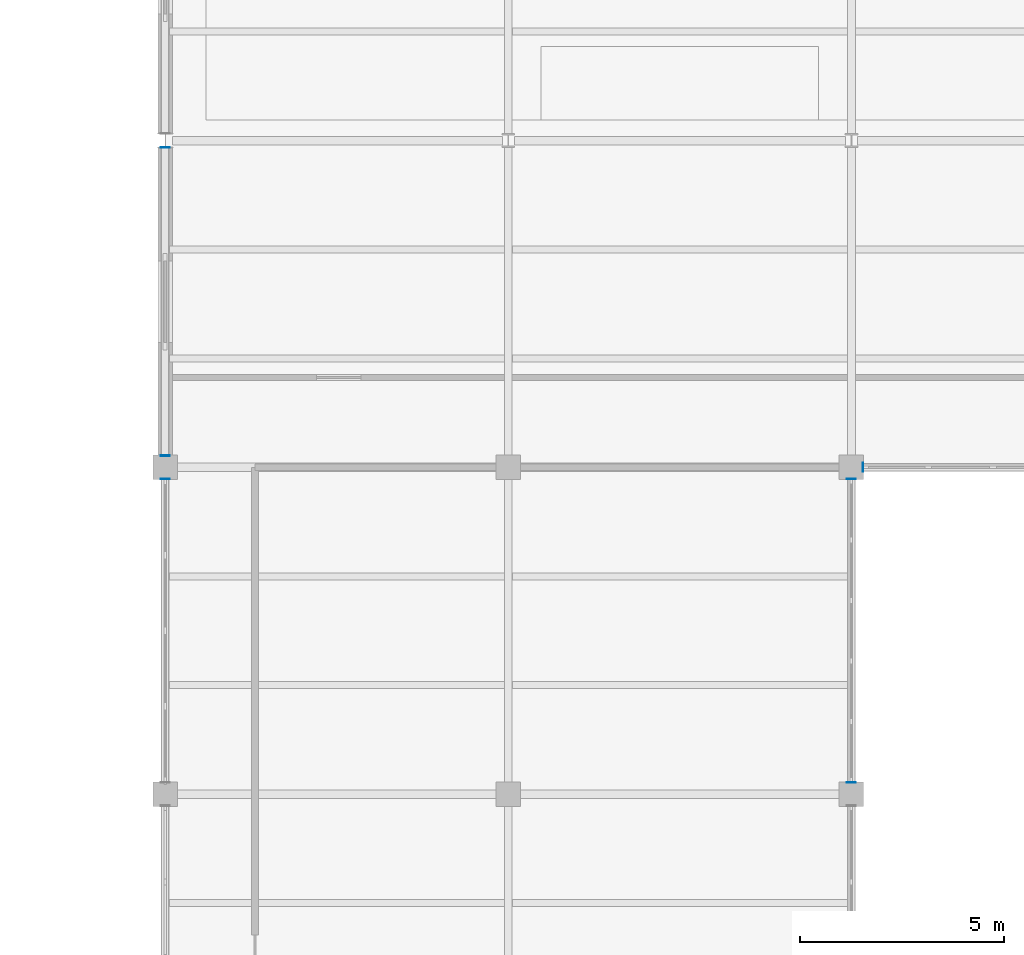
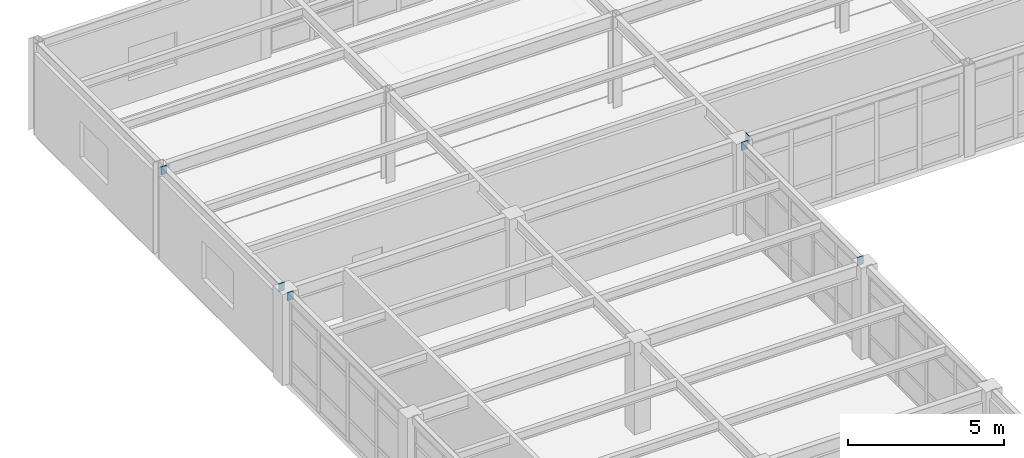
# One storey, part 79 of 96: 6 discrete accessories.
"""IFC4 building model written with IfcOpenShell, lengths in metres."""

import ifcopenshell
import ifcopenshell.guid

model = None  # the IFC model being written
_history = None  # IfcOwnerHistory: only IFC2X3 demands one
_inside = {}  # id of a spatial element -> (the spatial element, [elements in it])
_under = {}  # id of a project, library or spatial element -> (it, [spatial elements below it])
_declared = {}  # id of a project -> (the project, [libraries it declares])
_typed = {}  # id of a type object -> (the type object, [elements of that type])
_made_of = {}  # id of a material, layer set ... -> (it, [elements and type objects made of it])


def new_model(schema):
    """Start an empty IFC model of exactly this schema.

    Asked for "IFC4X3", IfcOpenShell would pick the latest addendum, in which some entities
    have other attributes; the version numbers below select the first issue.
    IFC2X3 requires an IfcOwnerHistory on every rooted entity: one is made here for all.
    """
    global model, _history
    if schema == "IFC4X3":
        model = ifcopenshell.file(schema_version=(4, 3, 0, 0))
    else:
        model = ifcopenshell.file(schema=schema)
    _inside.clear()
    _under.clear()
    _declared.clear()
    _typed.clear()
    _made_of.clear()
    _history = None
    if model.schema == "IFC2X3":
        org = make("IfcOrganization", Name="unknown")
        user = make(
            "IfcPersonAndOrganization",
            ThePerson=make("IfcPerson", FamilyName="unknown"),
            TheOrganization=org,
        )
        app = make(
            "IfcApplication",
            ApplicationDeveloper=org,
            Version="unknown",
            ApplicationFullName="unknown",
            ApplicationIdentifier="unknown",
        )
        _history = make(
            "IfcOwnerHistory",
            OwningUser=user,
            OwningApplication=app,
            ChangeAction="ADDED",
            CreationDate=0,
        )
    return model


def make(cls, **values):
    """One entity of the class cls with the attributes given. An attribute that is None is left unset."""
    return model.create_entity(
        cls, **{name: value for name, value in values.items() if value is not None}
    )


def rooted(cls, **values):
    """An entity with a GlobalId (a new one), such as an element, a storey or a relation."""
    return make(cls, GlobalId=ifcopenshell.guid.new(), OwnerHistory=_history, **values)


def si_unit(unit_type, name, prefix=None):
    """IfcSIUnit, for example si_unit("LENGTHUNIT", "METRE", prefix="MILLI")."""
    return make("IfcSIUnit", UnitType=unit_type, Prefix=prefix, Name=name)


def assignment(units):
    """IfcUnitAssignment: the units of a project."""
    return None if units is None else make("IfcUnitAssignment", Units=units)


def point(xyz):
    """IfcCartesianPoint."""
    return None if xyz is None else make("IfcCartesianPoint", Coordinates=xyz)


def direction(xyz):
    """IfcDirection."""
    return None if xyz is None else make("IfcDirection", DirectionRatios=xyz)


def frame(location, z_axis=None, x_axis=None):
    """IfcAxis2Placement3D, a coordinate frame: its origin and axes. An axis left out is left unset."""
    return make(
        "IfcAxis2Placement3D",
        Location=point(location),
        Axis=direction(z_axis),
        RefDirection=direction(x_axis),
    )


def frame_2d(location, x_axis=None):
    """IfcAxis2Placement2D, a coordinate frame in the plane: its origin and x axis."""
    return make(
        "IfcAxis2Placement2D", Location=point(location), RefDirection=direction(x_axis)
    )


def origin():
    """The frame at (0, 0, 0) with its axes left unset."""
    return frame((0.0, 0.0, 0.0))


def origin_2d():
    """The frame at (0, 0) in the plane with its x axis left unset."""
    return frame_2d((0.0, 0.0))


def place(relative_to, where):
    """IfcLocalPlacement: puts the frame where relative to a parent placement (None: the world)."""
    return make(
        "IfcLocalPlacement", PlacementRelTo=relative_to, RelativePlacement=where
    )


def context(
    kind, dimensions, precision=None, world=None, true_north=None, identifier=None
):
    """IfcGeometricRepresentationContext, for example the 3D "Model" context."""
    return make(
        "IfcGeometricRepresentationContext",
        ContextIdentifier=identifier,
        ContextType=kind,
        CoordinateSpaceDimension=dimensions,
        Precision=precision,
        WorldCoordinateSystem=world,
        TrueNorth=true_north,
    )


def subcontext(parent, identifier, kind, view, scale=None):
    """IfcGeometricRepresentationSubContext, for example "Body" below "Model"."""
    return make(
        "IfcGeometricRepresentationSubContext",
        ContextIdentifier=identifier,
        ContextType=kind,
        ParentContext=parent,
        TargetScale=scale,
        TargetView=view,
    )


def project(units=None, contexts=None):
    """IfcProject with its units and contexts."""
    return rooted(
        "IfcProject",
        Name="project",
        RepresentationContexts=contexts,
        UnitsInContext=assignment(units),
    )


def spatial(cls, under=None, at=None, **own):
    """A site, building, storey or space (cls), placed at a placement, below another one or the project."""
    s = rooted(cls, ObjectPlacement=at, **own)
    if under is not None:
        _under.setdefault(under.id(), (under, []))[1].append(s)
    return s


def profile(cls, at=None, kind="AREA", **sizes):
    """A parametric profile (cls). Its sizes go by their IFC names, for example OverallWidth=200.0."""
    return make(cls, ProfileType=kind, Position=at, **sizes)


def rectangle(**sizes):
    """IfcRectangleProfileDef."""
    return profile("IfcRectangleProfileDef", **sizes)


def extrude(swept, where, along, depth):
    """IfcExtrudedAreaSolid: the profile swept, set in the frame where, extruded along a direction by depth."""
    return make(
        "IfcExtrudedAreaSolid",
        SweptArea=swept,
        Position=where,
        ExtrudedDirection=direction(along),
        Depth=depth,
    )


def shape(context_of_items, identifier, shape_type, items):
    """IfcShapeRepresentation: the items that make up one representation, for example the "Body"."""
    return make(
        "IfcShapeRepresentation",
        ContextOfItems=context_of_items,
        RepresentationIdentifier=identifier,
        RepresentationType=shape_type,
        Items=items,
    )


def material(Name=None, Category=None):
    """IfcMaterial."""
    return make("IfcMaterial", Name=Name, Category=Category)


def layer(
    of_material, thickness, ventilated=None, Name=None, Category=None, Priority=None
):
    """IfcMaterialLayer: one layer of a wall or slab, of a material (None: an air gap)."""
    return make(
        "IfcMaterialLayer",
        Material=of_material,
        LayerThickness=thickness,
        IsVentilated=ventilated,
        Name=Name,
        Category=Category,
        Priority=Priority,
    )


def layer_set(layers, Name=None):
    """IfcMaterialLayerSet."""
    return make("IfcMaterialLayerSet", MaterialLayers=layers, LayerSetName=Name)


def made_of(thing, what):
    """Note that an element or type object is made of a material, layer set ...; save() writes the relation."""
    if what is not None:
        _made_of.setdefault(what.id(), (what, []))[1].append(thing)
    return thing


def type_object(cls, material=None, **own):
    """A type object (cls), such as IfcWallType, which elements share."""
    return made_of(rooted(cls, **own), material)


def element(
    cls,
    number,
    at=None,
    inside=None,
    cuts=None,
    type_object=None,
    material=None,
    context=None,
    identifier="Body",
    shape_type=None,
    held_by="IfcProductDefinitionShape",
    body=None,
    shapes=None,
    **own,
):
    """One element of the class cls, such as IfcWall. Its Tag is "e" and its number.

    at: its placement. inside: the storey or other place that contains it. cuts: it is an
    opening in that element (IfcRelVoidsElement). A single representation is given by context,
    identifier, shape_type and body (its items); several are given by shapes. held_by: the class
    of the entity that holds the representations. save() writes the other relations.
    """
    e = rooted(cls, Tag="e%d" % number, ObjectPlacement=at, **own)
    if body is not None:
        shapes = [shape(context, identifier, shape_type, body)]
    if shapes is not None:
        e.Representation = make(held_by, Representations=shapes)
    if inside is not None:
        _inside.setdefault(inside.id(), (inside, []))[1].append(e)
    if cuts is not None:
        rooted(
            "IfcRelVoidsElement", RelatingBuildingElement=cuts, RelatedOpeningElement=e
        )
    if type_object is not None:
        _typed.setdefault(type_object.id(), (type_object, []))[1].append(e)
    return made_of(e, material)


def aggregate(whole, parts):
    """IfcRelAggregates: a whole, such as a stair, and the parts it consists of."""
    return rooted("IfcRelAggregates", RelatingObject=whole, RelatedObjects=parts)


def save(model, path):
    """Write the relations noted so far, then the file.

    IfcRelAggregates (storeys below a building ...), IfcRelContainedInSpatialStructure (elements
    in a storey), IfcRelDefinesByType, IfcRelAssociatesMaterial and IfcRelDeclares: one each for
    every whole, place, type object, material and project.
    """
    for whole, parts in _under.values():
        aggregate(whole, parts)
    for where, things in _inside.values():
        rooted(
            "IfcRelContainedInSpatialStructure",
            RelatedElements=things,
            RelatingStructure=where,
        )
    for kind, things in _typed.values():
        rooted("IfcRelDefinesByType", RelatedObjects=things, RelatingType=kind)
    for what, things in _made_of.values():
        rooted("IfcRelAssociatesMaterial", RelatedObjects=things, RelatingMaterial=what)
    for by, libraries in _declared.values():
        rooted("IfcRelDeclares", RelatingContext=by, RelatedDefinitions=libraries)
    model.write(path)


model = new_model("IFC4")

# Units and contexts
model_context = context("Model", 3, precision=1e-05, world=origin(), true_north=direction((0.0, 1.0)))
body_context = subcontext(model_context, "Body", "Model", "MODEL_VIEW")
ifc_project = project(units=[si_unit("LENGTHUNIT", "METRE"), si_unit("AREAUNIT", "SQUARE_METRE"), si_unit("VOLUMEUNIT", "CUBIC_METRE"), si_unit("PLANEANGLEUNIT", "RADIAN"), si_unit("MASSUNIT", "GRAM", prefix="KILO")], contexts=[model_context])

# Site, building, storey
site_placement = place(None, origin())
site = spatial("IfcSite", under=ifc_project, at=site_placement, CompositionType="ELEMENT")
building_placement = place(site_placement, origin())
building = spatial("IfcBuilding", under=site, at=building_placement, Name="Kranzveld Transit Interchange", CompositionType="ELEMENT")
storey_placement = place(building_placement, frame((0.0, 0.0, 9.52001953125)))
storey = spatial("IfcBuildingStorey", under=building, at=storey_placement, Name="L02", CompositionType="ELEMENT", Elevation=9.52001953125)

# Discrete accessories
ifc_material = material(Name="Steel S355JR", Category="steel")
ifc_layer = layer(ifc_material, 0.02001953125)
ifc_layer_set = layer_set([ifc_layer], Name="Steel S355JR")
discrete_accessory_type = type_object("IfcDiscreteAccessoryType", Name="Hollow Section End Cap Bracket 20 S355JR", PredefinedType="BRACKET", material=ifc_layer_set)
for number, where, z_axis, x_axis, name in (
    (1, (117.89404296875, 96.0, 3.419921875), (-1.0, 0.0, 0.0), (0.0, -1.0, 0.0), "Hollow Section End Cap SP-RHS300-1"),
    (2, (100.800048828125, 95.7060546875, 3.419921875), (0.0, 1.0, 0.0), (-1.0, 0.0, 0.0), "Hollow Section End Cap SP-RHS300-2"),
    (3, (100.800048828125, 96.2939453125, 3.419921875), (0.0, -1.0, 0.0), (1.0, 0.0, 0.0), "Hollow Section End Cap SP-RHS300-1"),
    (4, (100.800048828125, 103.818603515625, 3.419921875), (0.0, 1.0, 0.0), (-1.0, 0.0, 0.0), "Hollow Section End Cap SP-RHS300-2"),
    (5, (117.60009765625, 88.2939453125, 3.419921875), (0.0, -1.0, 0.0), (1.0, 0.0, 0.0), "Hollow Section End Cap SP-RHS300-1"),
    (6, (117.60009765625, 95.7060546875, 3.419921875), (0.0, 1.0, 0.0), (-1.0, 0.0, 0.0), "Hollow Section End Cap SP-RHS300-2"),
):
    element("IfcDiscreteAccessory", number, at=place(storey_placement, frame(where, z_axis=z_axis, x_axis=x_axis)), inside=storey, type_object=discrete_accessory_type, Name=name, PredefinedType="BRACKET", context=body_context, shape_type="SweptSolid", body=[
        extrude(rectangle(XDim=0.22412109375, YDim=0.323974609375, at=origin_2d()), origin(), (0.0, 0.0, 1.0), 0.02001953125),
    ])

save(model, "model.ifc")
